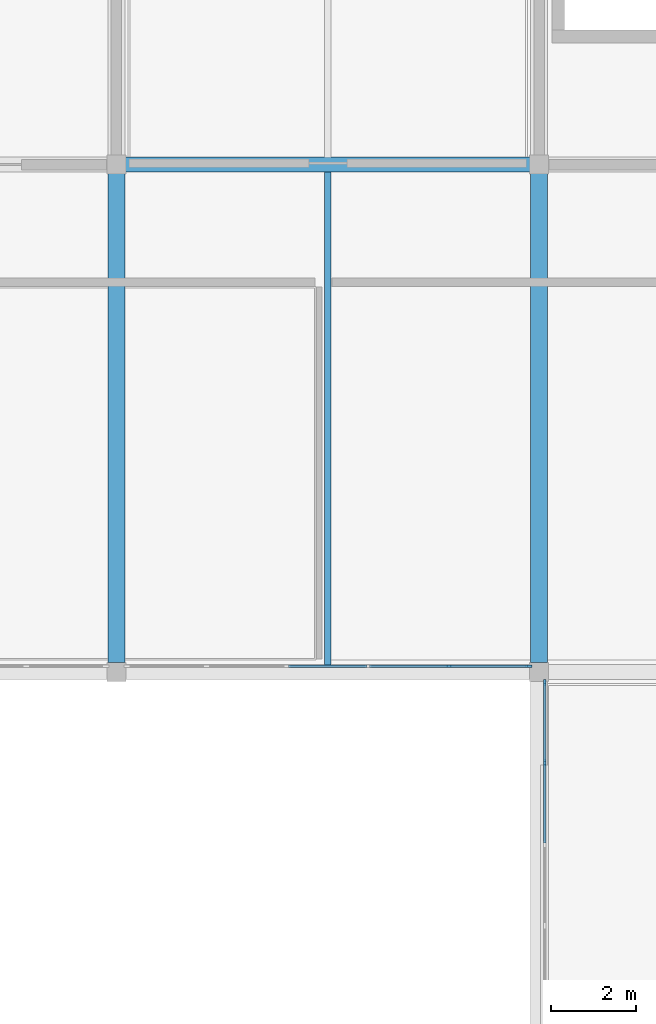
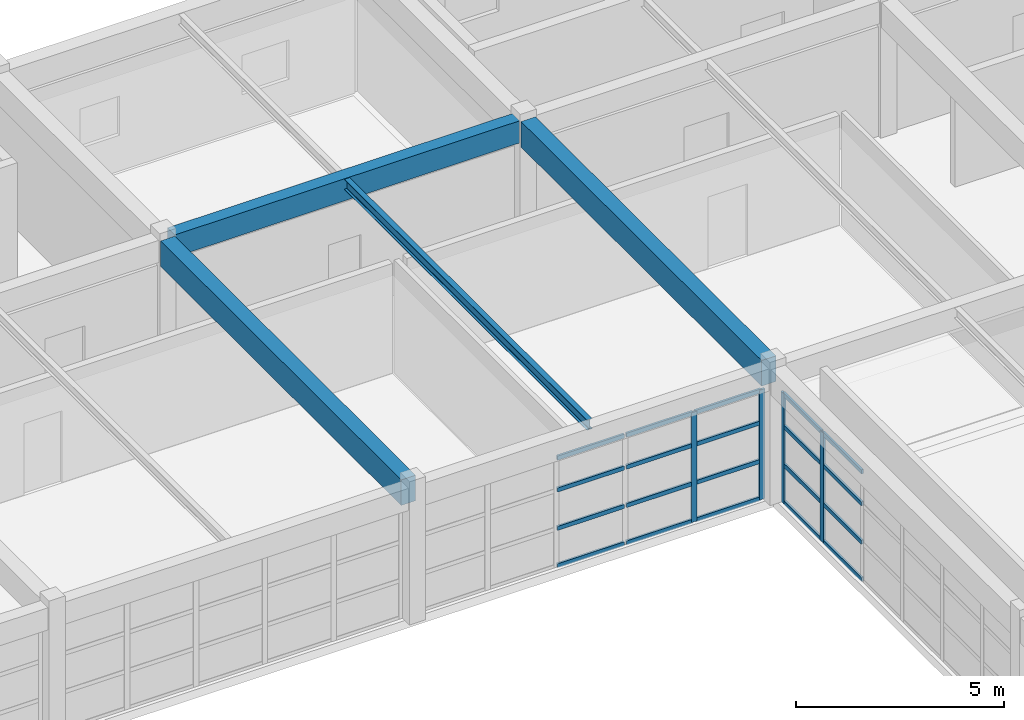
# One storey, part 8 of 16: 24 members, 4 beams, 2 elements without a shape of their own.
"""IFC4 building model written with IfcOpenShell, lengths in metres."""

from ifc_helpers import new_model, si_unit, direction, frame, origin, origin_2d, place, context, subcontext, project, spatial, rectangle, i_section, extrude, material, layer, layer_set, material_profile, profile_set, type_object, element, aggregate, save


model = new_model("IFC4")

# Units and contexts
model_context = context("Model", 3, precision=1e-05, world=origin(), true_north=direction((0.0, 1.0)))
body_context = subcontext(model_context, "Body", "Model", "MODEL_VIEW")
ifc_project = project(units=[si_unit("LENGTHUNIT", "METRE"), si_unit("AREAUNIT", "SQUARE_METRE"), si_unit("VOLUMEUNIT", "CUBIC_METRE"), si_unit("PLANEANGLEUNIT", "RADIAN"), si_unit("MASSUNIT", "GRAM", prefix="KILO")], contexts=[model_context])

# Site, building, storey
site_placement = place(None, origin())
site = spatial("IfcSite", under=ifc_project, at=site_placement, CompositionType="ELEMENT")
building_placement = place(site_placement, origin())
building = spatial("IfcBuilding", under=site, at=building_placement, Name="Kivolera Central Railway Station", CompositionType="ELEMENT")
storey_placement = place(building_placement, frame((0.0, 0.0, 27.0)))
storey = spatial("IfcBuildingStorey", under=building, at=storey_placement, Name="L06", CompositionType="ELEMENT", Elevation=27.0)

# Beams
ifc_material_1 = material(Name="Steel S355", Category="steel")
ifc_material_profile_1 = material_profile(ifc_material_1, i_section(OverallWidth=0.14990234375, OverallDepth=0.300048828125, WebThickness=0.007080078125, FlangeThickness=0.0107421875, FilletRadius=0.014892578125, at=origin_2d()), Name="IPE 300")
ifc_profile_set_1 = profile_set([ifc_material_profile_1], Name="Steel S355")
beam_type_1 = type_object("IfcBeamType", Name="BM-JST-IPE300", PredefinedType="JOIST", material=ifc_profile_set_1)
beam_1_placement = place(storey_placement, frame((173.0, 114.1669921875, 3.818115234375), z_axis=(0.0, 1.0, 0.0), x_axis=(-1.0, 0.0, 0.0)))
element("IfcBeam", 1, at=beam_1_placement, inside=storey, type_object=beam_type_1, Name="L06 Floor Joist 17-18/K-L", PredefinedType="JOIST", context=body_context, shape_type="SweptSolid", body=[
    extrude(i_section(OverallWidth=0.14990234375, OverallDepth=0.300048828125, WebThickness=0.007080078125, FlangeThickness=0.0107421875, FilletRadius=0.014892578125, at=origin_2d()), origin(), (0.0, 0.0, 1.0), 11.666015625),
])
ifc_material_2 = material(Name="Concrete C40/50", Category="concrete")
ifc_material_profile_2 = material_profile(ifc_material_2, rectangle(XDim=0.35009765625, YDim=0.64990234375, at=origin_2d()), Name="RC 350x650")
ifc_profile_set_2 = profile_set([ifc_material_profile_2], Name="Concrete C40/50")
beam_type_2 = type_object("IfcBeamType", Name="BM-RC-350x650", PredefinedType="BEAM", material=ifc_profile_set_2)
beam_2_placement = place(storey_placement, frame((168.217041015625, 126.0, 3.655029296875), z_axis=(1.0, 0.0, 0.0), x_axis=(0.0, 1.0, 0.0)))
element("IfcBeam", 2, at=beam_2_placement, inside=storey, type_object=beam_type_2, Name="L06 Wing X-Beam L:17-18", PredefinedType="BEAM", context=body_context, shape_type="SweptSolid", body=[
    extrude(rectangle(XDim=0.35009765625, YDim=0.64990234375, at=origin_2d()), origin(), (0.0, 0.0, 1.0), 9.56591796875),
])
ifc_material_profile_3 = material_profile(ifc_material_2, rectangle(XDim=0.39990234375, YDim=0.75, at=origin_2d()), Name="RC 400x750")
ifc_profile_set_3 = profile_set([ifc_material_profile_3], Name="Concrete C40/50")
beam_type_3 = type_object("IfcBeamType", Name="BM-RC-400x750", PredefinedType="BEAM", material=ifc_profile_set_3)
for number, where, z_axis, x_axis, name in (
    (3, (168.0, 114.217041015625, 3.60498046875), (0.0, 1.0, 0.0), (-1.0, 0.0, 0.0), "L06 Wing Y-Beam 17:K-L"),
    (4, (178.0, 114.217041015625, 3.60498046875), (0.0, 1.0, 0.0), (-1.0, 0.0, 0.0), "L06 Wing Y-Beam 18:K-L"),
):
    element("IfcBeam", number, at=place(storey_placement, frame(where, z_axis=z_axis, x_axis=x_axis)), inside=storey, type_object=beam_type_3, Name=name, PredefinedType="BEAM", context=body_context, shape_type="SweptSolid", body=[
        extrude(rectangle(XDim=0.39990234375, YDim=0.75, at=origin_2d()), origin(), (0.0, 0.0, 1.0), 11.56591796875),
    ])

# Curtain wall, members
ifc_material_3 = material(Name="Anodised aluminium", Category="aluminium")
ifc_layer_1 = layer(ifc_material_3, 0.179931640625, Name="Anodised aluminium")
ifc_layer_set_1 = layer_set([ifc_layer_1], Name="Anodised aluminium")
curtain_wall_type_1 = type_object("IfcCurtainWallType", Name="CW-SYS-34", PredefinedType="NOTDEFINED", material=ifc_layer_set_1)
curtain_wall_1_placement = place(storey_placement, origin())
curtain_wall_1 = element("IfcCurtainWall", 5, at=curtain_wall_1_placement, inside=storey, type_object=curtain_wall_type_1, Name="L06 Curtain Wall CW-L06-SOUTH-6", PredefinedType="NOTDEFINED")
ifc_material_profile_4 = material_profile(ifc_material_3, rectangle(XDim=0.06005859375, YDim=0.14990234375, at=origin_2d()), Name="ALU MULL 60x150")
ifc_profile_set_4 = profile_set([ifc_material_profile_4], Name="Anodised aluminium")
member_type_1 = type_object("IfcMemberType", Name="CWM-MUL-2", PredefinedType="MULLION", material=ifc_profile_set_4)
member_1_placement = place(storey_placement, frame((177.75, 114.135009765625, -0.0048828125), z_axis=(0.0, 0.0, 1.0), x_axis=(0.0, -1.0, 0.0)))
member_1 = element("IfcMember", 6, at=member_1_placement, type_object=member_type_1, Name="CW-34 mullion 1", PredefinedType="MULLION", context=body_context, shape_type="SweptSolid", body=[
    extrude(rectangle(XDim=0.06005859375, YDim=0.14990234375, at=origin_2d()), origin(), (0.0, 0.0, 1.0), 3.222900390625),
])
member_2_placement = place(storey_placement, frame((175.867919921875, 114.135009765625, -0.0048828125), z_axis=(0.0, 0.0, 1.0), x_axis=(0.0, -1.0, 0.0)))
member_2 = element("IfcMember", 7, at=member_2_placement, type_object=member_type_1, Name="CW-34 mullion 2", PredefinedType="MULLION", context=body_context, shape_type="SweptSolid", body=[
    extrude(rectangle(XDim=0.06005859375, YDim=0.14990234375, at=origin_2d()), origin(), (0.0, 0.0, 1.0), 3.222900390625),
])

ifc_layer_2 = layer(ifc_material_3, 0.179931640625, Name="Anodised aluminium")
ifc_layer_set_2 = layer_set([ifc_layer_2], Name="Anodised aluminium")
curtain_wall_type_2 = type_object("IfcCurtainWallType", Name="CW-SYS-35", PredefinedType="NOTDEFINED", material=ifc_layer_set_2)
curtain_wall_2_placement = place(storey_placement, origin())
curtain_wall_2 = element("IfcCurtainWall", 8, at=curtain_wall_2_placement, inside=storey, type_object=curtain_wall_type_2, Name="L06 Curtain Wall CW-L06-CRTE-J", PredefinedType="NOTDEFINED")
member_3_placement = place(storey_placement, frame((178.135009765625, 111.853271484375, -0.0048828125), z_axis=(0.0, 0.0, 1.0), x_axis=(-1.0, 0.0, 0.0)))
member_3 = element("IfcMember", 9, at=member_3_placement, type_object=member_type_1, Name="CW-35 mullion 6", PredefinedType="MULLION", context=body_context, shape_type="SweptSolid", body=[
    extrude(rectangle(XDim=0.06005859375, YDim=0.14990234375, at=origin_2d()), origin(), (0.0, 0.0, 1.0), 3.222900390625),
])
member_4_placement = place(storey_placement, frame((178.135009765625, 113.75, -0.0048828125), z_axis=(0.0, 0.0, 1.0), x_axis=(-1.0, 0.0, 0.0)))
member_4 = element("IfcMember", 10, at=member_4_placement, type_object=member_type_1, Name="CW-35 mullion 7", PredefinedType="MULLION", context=body_context, shape_type="SweptSolid", body=[
    extrude(rectangle(XDim=0.06005859375, YDim=0.14990234375, at=origin_2d()), origin(), (0.0, 0.0, 1.0), 3.222900390625),
])

# Member
ifc_material_profile_5 = material_profile(ifc_material_3, rectangle(XDim=0.06005859375, YDim=0.1201171875, at=origin_2d()), Name="ALU TRAN 60x120")
ifc_profile_set_5 = profile_set([ifc_material_profile_5], Name="Anodised aluminium")
member_type_2 = type_object("IfcMemberType", Name="CWM-TRN-2", PredefinedType="USERDEFINED", material=ifc_profile_set_5)
member_5_placement = place(storey_placement, frame((177.719970703125, 114.135009765625, 0.030029296875), z_axis=(-1.0, 0.0, 0.0), x_axis=(0.0, -1.0, 0.0)))
member_5 = element("IfcMember", 11, at=member_5_placement, type_object=member_type_2, Name="CW-34 transom 1.1", ObjectType="TRANSOM", PredefinedType="USERDEFINED", context=body_context, shape_type="SweptSolid", body=[
    extrude(rectangle(XDim=0.06005859375, YDim=0.1201171875, at=origin_2d()), origin(), (0.0, 0.0, 1.0), 1.822021484375),
])

member_6_placement = place(storey_placement, frame((177.719970703125, 114.135009765625, 1.126220703125), z_axis=(-1.0, 0.0, 0.0), x_axis=(0.0, -1.0, 0.0)))
member_6 = element("IfcMember", 12, at=member_6_placement, type_object=member_type_2, Name="CW-34 transom 1.2", ObjectType="TRANSOM", PredefinedType="USERDEFINED", context=body_context, shape_type="SweptSolid", body=[
    extrude(rectangle(XDim=0.06005859375, YDim=0.1201171875, at=origin_2d()), origin(), (0.0, 0.0, 1.0), 1.822021484375),
])

member_7_placement = place(storey_placement, frame((177.719970703125, 114.135009765625, 2.252685546875), z_axis=(-1.0, 0.0, 0.0), x_axis=(0.0, -1.0, 0.0)))
member_7 = element("IfcMember", 13, at=member_7_placement, type_object=member_type_2, Name="CW-34 transom 1.3", ObjectType="TRANSOM", PredefinedType="USERDEFINED", context=body_context, shape_type="SweptSolid", body=[
    extrude(rectangle(XDim=0.06005859375, YDim=0.1201171875, at=origin_2d()), origin(), (0.0, 0.0, 1.0), 1.822021484375),
])

member_8_placement = place(storey_placement, frame((177.719970703125, 114.135009765625, 3.18798828125), z_axis=(-1.0, 0.0, 0.0), x_axis=(0.0, -1.0, 0.0)))
member_8 = element("IfcMember", 14, at=member_8_placement, type_object=member_type_2, Name="CW-34 transom 1.4", ObjectType="TRANSOM", PredefinedType="USERDEFINED", context=body_context, shape_type="SweptSolid", body=[
    extrude(rectangle(XDim=0.06005859375, YDim=0.1201171875, at=origin_2d()), origin(), (0.0, 0.0, 1.0), 1.822021484375),
])

member_9_placement = place(storey_placement, frame((175.837890625, 114.135009765625, 0.030029296875), z_axis=(-1.0, 0.0, 0.0), x_axis=(0.0, -1.0, 0.0)))
member_9 = element("IfcMember", 15, at=member_9_placement, type_object=member_type_2, Name="CW-34 transom 2.1", ObjectType="TRANSOM", PredefinedType="USERDEFINED", context=body_context, shape_type="SweptSolid", body=[
    extrude(rectangle(XDim=0.06005859375, YDim=0.1201171875, at=origin_2d()), origin(), (0.0, 0.0, 1.0), 1.851806640625),
])

member_10_placement = place(storey_placement, frame((175.837890625, 114.135009765625, 1.126220703125), z_axis=(-1.0, 0.0, 0.0), x_axis=(0.0, -1.0, 0.0)))
member_10 = element("IfcMember", 16, at=member_10_placement, type_object=member_type_2, Name="CW-34 transom 2.2", ObjectType="TRANSOM", PredefinedType="USERDEFINED", context=body_context, shape_type="SweptSolid", body=[
    extrude(rectangle(XDim=0.06005859375, YDim=0.1201171875, at=origin_2d()), origin(), (0.0, 0.0, 1.0), 1.851806640625),
])

member_11_placement = place(storey_placement, frame((175.837890625, 114.135009765625, 2.252685546875), z_axis=(-1.0, 0.0, 0.0), x_axis=(0.0, -1.0, 0.0)))
member_11 = element("IfcMember", 17, at=member_11_placement, type_object=member_type_2, Name="CW-34 transom 2.3", ObjectType="TRANSOM", PredefinedType="USERDEFINED", context=body_context, shape_type="SweptSolid", body=[
    extrude(rectangle(XDim=0.06005859375, YDim=0.1201171875, at=origin_2d()), origin(), (0.0, 0.0, 1.0), 1.851806640625),
])

member_12_placement = place(storey_placement, frame((175.837890625, 114.135009765625, 3.18798828125), z_axis=(-1.0, 0.0, 0.0), x_axis=(0.0, -1.0, 0.0)))
member_12 = element("IfcMember", 18, at=member_12_placement, type_object=member_type_2, Name="CW-34 transom 2.4", ObjectType="TRANSOM", PredefinedType="USERDEFINED", context=body_context, shape_type="SweptSolid", body=[
    extrude(rectangle(XDim=0.06005859375, YDim=0.1201171875, at=origin_2d()), origin(), (0.0, 0.0, 1.0), 1.851806640625),
])

member_13_placement = place(storey_placement, frame((173.926025390625, 114.135009765625, 0.030029296875), z_axis=(-1.0, 0.0, 0.0), x_axis=(0.0, -1.0, 0.0)))
member_13 = element("IfcMember", 19, at=member_13_placement, type_object=member_type_2, Name="CW-34 transom 3.1", ObjectType="TRANSOM", PredefinedType="USERDEFINED", context=body_context, shape_type="SweptSolid", body=[
    extrude(rectangle(XDim=0.06005859375, YDim=0.1201171875, at=origin_2d()), origin(), (0.0, 0.0, 1.0), 1.85205078125),
])

member_14_placement = place(storey_placement, frame((173.926025390625, 114.135009765625, 1.126220703125), z_axis=(-1.0, 0.0, 0.0), x_axis=(0.0, -1.0, 0.0)))
member_14 = element("IfcMember", 20, at=member_14_placement, type_object=member_type_2, Name="CW-34 transom 3.2", ObjectType="TRANSOM", PredefinedType="USERDEFINED", context=body_context, shape_type="SweptSolid", body=[
    extrude(rectangle(XDim=0.06005859375, YDim=0.1201171875, at=origin_2d()), origin(), (0.0, 0.0, 1.0), 1.85205078125),
])

member_15_placement = place(storey_placement, frame((173.926025390625, 114.135009765625, 2.252685546875), z_axis=(-1.0, 0.0, 0.0), x_axis=(0.0, -1.0, 0.0)))
member_15 = element("IfcMember", 21, at=member_15_placement, type_object=member_type_2, Name="CW-34 transom 3.3", ObjectType="TRANSOM", PredefinedType="USERDEFINED", context=body_context, shape_type="SweptSolid", body=[
    extrude(rectangle(XDim=0.06005859375, YDim=0.1201171875, at=origin_2d()), origin(), (0.0, 0.0, 1.0), 1.85205078125),
])

member_16_placement = place(storey_placement, frame((173.926025390625, 114.135009765625, 3.18798828125), z_axis=(-1.0, 0.0, 0.0), x_axis=(0.0, -1.0, 0.0)))
member_16 = element("IfcMember", 22, at=member_16_placement, type_object=member_type_2, Name="CW-34 transom 3.4", ObjectType="TRANSOM", PredefinedType="USERDEFINED", context=body_context, shape_type="SweptSolid", body=[
    extrude(rectangle(XDim=0.06005859375, YDim=0.1201171875, at=origin_2d()), origin(), (0.0, 0.0, 1.0), 1.85205078125),
])

aggregate(curtain_wall_1, [member_1, member_2, member_5, member_6, member_7, member_8, member_9, member_10, member_11, member_12, member_13, member_14, member_15, member_16])

member_17_placement = place(storey_placement, frame((178.135009765625, 109.956787109375, 0.030029296875), z_axis=(0.0, 1.0, 0.0), x_axis=(-1.0, 0.0, 0.0)))
member_17 = element("IfcMember", 23, at=member_17_placement, type_object=member_type_2, Name="CW-35 transom 5.1", ObjectType="TRANSOM", PredefinedType="USERDEFINED", context=body_context, shape_type="SweptSolid", body=[
    extrude(rectangle(XDim=0.06005859375, YDim=0.1201171875, at=origin_2d()), origin(), (0.0, 0.0, 1.0), 1.866455078125),
])

member_18_placement = place(storey_placement, frame((178.135009765625, 109.956787109375, 1.126220703125), z_axis=(0.0, 1.0, 0.0), x_axis=(-1.0, 0.0, 0.0)))
member_18 = element("IfcMember", 24, at=member_18_placement, type_object=member_type_2, Name="CW-35 transom 5.2", ObjectType="TRANSOM", PredefinedType="USERDEFINED", context=body_context, shape_type="SweptSolid", body=[
    extrude(rectangle(XDim=0.06005859375, YDim=0.1201171875, at=origin_2d()), origin(), (0.0, 0.0, 1.0), 1.866455078125),
])

member_19_placement = place(storey_placement, frame((178.135009765625, 109.956787109375, 2.252685546875), z_axis=(0.0, 1.0, 0.0), x_axis=(-1.0, 0.0, 0.0)))
member_19 = element("IfcMember", 25, at=member_19_placement, type_object=member_type_2, Name="CW-35 transom 5.3", ObjectType="TRANSOM", PredefinedType="USERDEFINED", context=body_context, shape_type="SweptSolid", body=[
    extrude(rectangle(XDim=0.06005859375, YDim=0.1201171875, at=origin_2d()), origin(), (0.0, 0.0, 1.0), 1.866455078125),
])

member_20_placement = place(storey_placement, frame((178.135009765625, 109.956787109375, 3.18798828125), z_axis=(0.0, 1.0, 0.0), x_axis=(-1.0, 0.0, 0.0)))
member_20 = element("IfcMember", 26, at=member_20_placement, type_object=member_type_2, Name="CW-35 transom 5.4", ObjectType="TRANSOM", PredefinedType="USERDEFINED", context=body_context, shape_type="SweptSolid", body=[
    extrude(rectangle(XDim=0.06005859375, YDim=0.1201171875, at=origin_2d()), origin(), (0.0, 0.0, 1.0), 1.866455078125),
])

member_21_placement = place(storey_placement, frame((178.135009765625, 111.88330078125, 0.030029296875), z_axis=(0.0, 1.0, 0.0), x_axis=(-1.0, 0.0, 0.0)))
member_21 = element("IfcMember", 27, at=member_21_placement, type_object=member_type_2, Name="CW-35 transom 6.1", ObjectType="TRANSOM", PredefinedType="USERDEFINED", context=body_context, shape_type="SweptSolid", body=[
    extrude(rectangle(XDim=0.06005859375, YDim=0.1201171875, at=origin_2d()), origin(), (0.0, 0.0, 1.0), 1.836669921875),
])

member_22_placement = place(storey_placement, frame((178.135009765625, 111.88330078125, 1.126220703125), z_axis=(0.0, 1.0, 0.0), x_axis=(-1.0, 0.0, 0.0)))
member_22 = element("IfcMember", 28, at=member_22_placement, type_object=member_type_2, Name="CW-35 transom 6.2", ObjectType="TRANSOM", PredefinedType="USERDEFINED", context=body_context, shape_type="SweptSolid", body=[
    extrude(rectangle(XDim=0.06005859375, YDim=0.1201171875, at=origin_2d()), origin(), (0.0, 0.0, 1.0), 1.836669921875),
])

member_23_placement = place(storey_placement, frame((178.135009765625, 111.88330078125, 2.252685546875), z_axis=(0.0, 1.0, 0.0), x_axis=(-1.0, 0.0, 0.0)))
member_23 = element("IfcMember", 29, at=member_23_placement, type_object=member_type_2, Name="CW-35 transom 6.3", ObjectType="TRANSOM", PredefinedType="USERDEFINED", context=body_context, shape_type="SweptSolid", body=[
    extrude(rectangle(XDim=0.06005859375, YDim=0.1201171875, at=origin_2d()), origin(), (0.0, 0.0, 1.0), 1.836669921875),
])

member_24_placement = place(storey_placement, frame((178.135009765625, 111.88330078125, 3.18798828125), z_axis=(0.0, 1.0, 0.0), x_axis=(-1.0, 0.0, 0.0)))
member_24 = element("IfcMember", 30, at=member_24_placement, type_object=member_type_2, Name="CW-35 transom 6.4", ObjectType="TRANSOM", PredefinedType="USERDEFINED", context=body_context, shape_type="SweptSolid", body=[
    extrude(rectangle(XDim=0.06005859375, YDim=0.1201171875, at=origin_2d()), origin(), (0.0, 0.0, 1.0), 1.836669921875),
])

aggregate(curtain_wall_2, [member_3, member_4, member_17, member_18, member_19, member_20, member_21, member_22, member_23, member_24])

save(model, "model.ifc")
